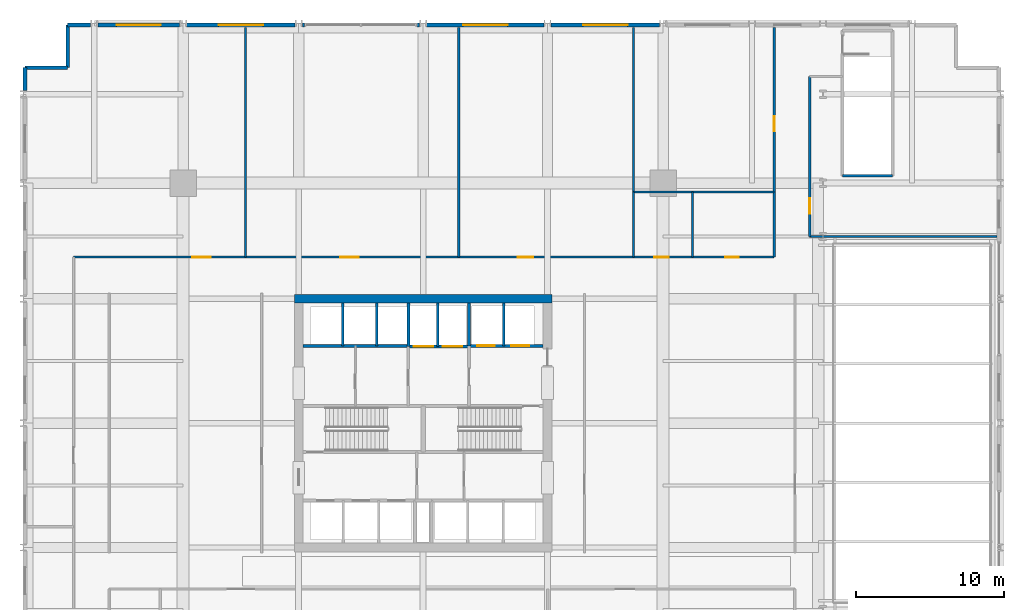
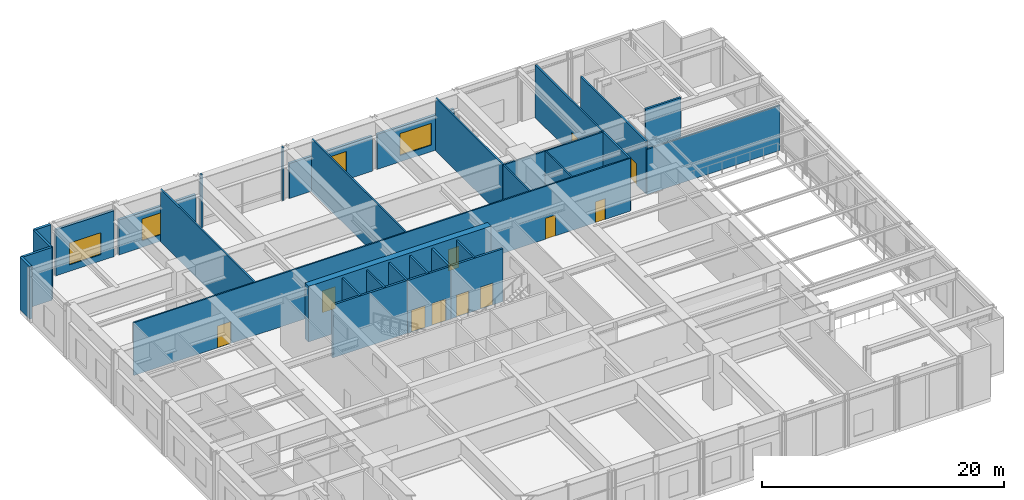
# One storey, part 13 of 19: 31 walls, 11 doors, 4 windows, 15 openings.
"""IFC4 building model written with IfcOpenShell, lengths in metres."""

from ifc_helpers import new_model, si_unit, direction, frame, frame_2d, origin, place, context, subcontext, project, spatial, rectangle, extrude, material, layer, layer_set, type_object, element, fill, save


model = new_model("IFC4")

# Units and contexts
model_context = context("Model", 3, precision=1e-05, world=origin(), true_north=direction((0.0, 1.0)))
body_context = subcontext(model_context, "Body", "Model", "MODEL_VIEW")
ifc_project = project(units=[si_unit("LENGTHUNIT", "METRE"), si_unit("AREAUNIT", "SQUARE_METRE"), si_unit("VOLUMEUNIT", "CUBIC_METRE"), si_unit("PLANEANGLEUNIT", "RADIAN"), si_unit("MASSUNIT", "GRAM", prefix="KILO")], contexts=[model_context])

# Site, building, storey
site_placement = place(None, origin())
site = spatial("IfcSite", under=ifc_project, at=site_placement, CompositionType="ELEMENT")
building_placement = place(site_placement, origin())
building = spatial("IfcBuilding", under=site, at=building_placement, Name="Drelvath Grand Hotel", CompositionType="ELEMENT")
storey_placement = place(building_placement, frame((0.0, 0.0, 27.60009765625)))
storey = spatial("IfcBuildingStorey", under=building, at=storey_placement, Name="L05", CompositionType="ELEMENT", Elevation=27.60009765625)

# Wall, openings, doors
ifc_material_1 = material(Name="Concrete C40/50", Category="concrete")
ifc_layer_1 = layer(ifc_material_1, 0.199951171875)
ifc_layer_set_1 = layer_set([ifc_layer_1], Name="Concrete C40/50")
wall_type_1 = type_object("IfcWallType", Name="Core Hoistway Fire Wall 200", PredefinedType="SOLIDWALL", material=ifc_layer_set_1)
wall_1_placement = place(storey_placement, frame((3.10009765625, 32.219970703125, 0.0), z_axis=(0.0, 0.0, 1.0), x_axis=(1.0, 0.0, 0.0)))
wall_1 = element("IfcWall", 1, at=wall_1_placement, inside=storey, type_object=wall_type_1, Name="L05 FSAE Hoistway Front Wall", PredefinedType="SOLIDWALL", context=body_context, shape_type="SweptSolid", body=[
    extrude(rectangle(XDim=5.0, YDim=0.199951171875, at=frame_2d((2.5, 0.0))), origin(), (0.0, 0.0, 1.0), 5.31982421875),
])
opening_1_placement = place(wall_1_placement, frame((0.550048828125, 0.0, 0.0)))
opening_1 = element("IfcOpeningElement", 2, at=opening_1_placement, cuts=wall_1, Name="Opening LD-FSAE-1", PredefinedType="OPENING", context=body_context, shape_type="SweptSolid", body=[
    extrude(rectangle(XDim=1.199951171875, YDim=2.199951171875, at=frame_2d((0.60009765625, 1.10009765625))), frame((0.0, 0.10986328125, 0.0), z_axis=(0.0, -1.0, 0.0), x_axis=(1.0, 0.0, 0.0)), (0.0, 0.0, 1.0), 0.219970703125),
])
opening_2_placement = place(wall_1_placement, frame((2.85009765625, 0.0, 0.0)))
opening_2 = element("IfcOpeningElement", 3, at=opening_2_placement, cuts=wall_1, Name="Opening LD-FSAE-2", PredefinedType="OPENING", context=body_context, shape_type="SweptSolid", body=[
    extrude(rectangle(XDim=1.199951171875, YDim=2.199951171875, at=frame_2d((0.60009765625, 1.10009765625))), frame((0.0, 0.10986328125, 0.0), z_axis=(0.0, -1.0, 0.0), x_axis=(1.0, 0.0, 0.0)), (0.0, 0.0, 1.0), 0.219970703125),
])
ifc_material_2 = material(Name="Stainless Steel S355", Category="steel")
door_type_1 = type_object("IfcDoorType", Name="FSAE Lift Sliding Landing Door 1200x2200", OperationType="NOTDEFINED", PredefinedType="DOOR", material=ifc_material_2)
door_1_placement = place(opening_1_placement, origin())
door_1 = element("IfcDoor", 4, at=door_1_placement, inside=storey, type_object=door_type_1, Name="L05 Lift FSAE-1 Landing Door", OperationType="SLIDING_TO_LEFT", OverallHeight=2.199951171875, OverallWidth=1.199951171875, PredefinedType="DOOR", context=body_context, shape_type="SweptSolid", body=[
    extrude(rectangle(XDim=1.199951171875, YDim=2.199951171875, at=frame_2d((0.60009765625, 1.10009765625))), frame((0.0, 0.02490234375, 0.0), z_axis=(0.0, -1.0, 0.0), x_axis=(1.0, 0.0, 0.0)), (0.0, 0.0, 1.0), 0.050048828125),
])
fill(opening_1, door_1)
door_2_placement = place(opening_2_placement, origin())
door_2 = element("IfcDoor", 5, at=door_2_placement, inside=storey, type_object=door_type_1, Name="L05 Lift FSAE-2 Landing Door", OperationType="SLIDING_TO_LEFT", OverallHeight=2.199951171875, OverallWidth=1.199951171875, PredefinedType="DOOR", context=body_context, shape_type="SweptSolid", body=[
    extrude(rectangle(XDim=1.199951171875, YDim=2.199951171875, at=frame_2d((0.60009765625, 1.10009765625))), frame((0.0, 0.02490234375, 0.0), z_axis=(0.0, -1.0, 0.0), x_axis=(1.0, 0.0, 0.0)), (0.0, 0.0, 1.0), 0.050048828125),
])
fill(opening_2, door_2)

# Wall
wall_2_placement = place(storey_placement, frame((3.10009765625, 32.219970703125, 0.0), z_axis=(0.0, 0.0, 1.0), x_axis=(0.0, 1.0, 0.0)))
element("IfcWall", 6, at=wall_2_placement, inside=storey, type_object=wall_type_1, Name="L05 FSAE Hoistway West Wall", PredefinedType="SOLIDWALL", context=body_context, shape_type="SweptSolid", body=[
    extrude(rectangle(XDim=2.880126953125, YDim=0.199951171875, at=frame_2d((1.43994140625, 0.0))), origin(), (0.0, 0.0, 1.0), 5.31982421875),
])

# Wall, openings, doors
wall_3_placement = place(storey_placement, frame((-1.0, 32.179931640625, 0.0), z_axis=(0.0, 0.0, 1.0), x_axis=(1.0, 0.0, 0.0)))
wall_3 = element("IfcWall", 7, at=wall_3_placement, inside=storey, type_object=wall_type_1, Name="L05 Service Lift Hoistway Wall", PredefinedType="SOLIDWALL", context=body_context, shape_type="SweptSolid", body=[
    extrude(rectangle(XDim=4.10009765625, YDim=0.199951171875, at=frame_2d((2.050048828125, 0.0))), origin(), (0.0, 0.0, 1.0), 5.31982421875),
])
opening_3_placement = place(wall_3_placement, frame((0.3701171875, 0.0, 0.0)))
opening_3 = element("IfcOpeningElement", 8, at=opening_3_placement, cuts=wall_3, Name="Opening LD-SV-2", PredefinedType="OPENING", context=body_context, shape_type="SweptSolid", body=[
    extrude(rectangle(XDim=1.300048828125, YDim=2.199951171875, at=frame_2d((0.64990234375, 1.10009765625))), frame((0.0, 0.10986328125, 0.0), z_axis=(0.0, -1.0, 0.0), x_axis=(1.0, 0.0, 0.0)), (0.0, 0.0, 1.0), 0.219970703125),
])
opening_4_placement = place(wall_3_placement, frame((2.330078125, 0.0, 0.0)))
opening_4 = element("IfcOpeningElement", 9, at=opening_4_placement, cuts=wall_3, Name="Opening LD-SV-1", PredefinedType="OPENING", context=body_context, shape_type="SweptSolid", body=[
    extrude(rectangle(XDim=1.300048828125, YDim=2.199951171875, at=frame_2d((0.64990234375, 1.10009765625))), frame((0.0, 0.10986328125, 0.0), z_axis=(0.0, -1.0, 0.0), x_axis=(1.0, 0.0, 0.0)), (0.0, 0.0, 1.0), 0.219970703125),
])
door_type_2 = type_object("IfcDoorType", Name="Service Lift Sliding Landing Door 1300x2200", OperationType="NOTDEFINED", PredefinedType="DOOR", material=ifc_material_2)
door_3_placement = place(opening_3_placement, origin())
door_3 = element("IfcDoor", 10, at=door_3_placement, inside=storey, type_object=door_type_2, Name="L05 Lift SV-2 Landing Door", OperationType="SLIDING_TO_LEFT", OverallHeight=2.199951171875, OverallWidth=1.300048828125, PredefinedType="DOOR", context=body_context, shape_type="SweptSolid", body=[
    extrude(rectangle(XDim=1.300048828125, YDim=2.199951171875, at=frame_2d((0.64990234375, 1.10009765625))), frame((0.0, 0.02490234375, 0.0), z_axis=(0.0, -1.0, 0.0), x_axis=(1.0, 0.0, 0.0)), (0.0, 0.0, 1.0), 0.050048828125),
])
fill(opening_3, door_3)
door_4_placement = place(opening_4_placement, origin())
door_4 = element("IfcDoor", 11, at=door_4_placement, inside=storey, type_object=door_type_2, Name="L05 Lift SV-1 Landing Door", OperationType="SLIDING_TO_LEFT", OverallHeight=2.199951171875, OverallWidth=1.300048828125, PredefinedType="DOOR", context=body_context, shape_type="SweptSolid", body=[
    extrude(rectangle(XDim=1.300048828125, YDim=2.199951171875, at=frame_2d((0.64990234375, 1.10009765625))), frame((0.0, 0.02490234375, 0.0), z_axis=(0.0, -1.0, 0.0), x_axis=(1.0, 0.0, 0.0)), (0.0, 0.0, 1.0), 0.050048828125),
])
fill(opening_4, door_4)

# Walls
wall_4_placement = place(storey_placement, frame((-1.0, 32.179931640625, 0.0), z_axis=(0.0, 0.0, 1.0), x_axis=(0.0, 1.0, 0.0)))
element("IfcWall", 12, at=wall_4_placement, inside=storey, type_object=wall_type_1, Name="L05 Service Lift West Wall", PredefinedType="SOLIDWALL", context=body_context, shape_type="SweptSolid", body=[
    extrude(rectangle(XDim=2.920166015625, YDim=0.199951171875, at=frame_2d((1.4599609375, 0.0))), origin(), (0.0, 0.0, 1.0), 5.31982421875),
])
wall_5_placement = place(storey_placement, frame((-8.10009765625, 32.219970703125, 0.0), z_axis=(0.0, 0.0, 1.0), x_axis=(1.0, 0.0, 0.0)))
element("IfcWall", 13, at=wall_5_placement, inside=storey, type_object=wall_type_1, Name="L05 Bank 3 Hoistway Wall", PredefinedType="SOLIDWALL", context=body_context, shape_type="SweptSolid", body=[
    extrude(rectangle(XDim=7.10009765625, YDim=0.199951171875, at=frame_2d((3.550048828125, 0.0))), origin(), (0.0, 0.0, 1.0), 5.31982421875),
])
ifc_layer_2 = layer(ifc_material_1, 0.199951171875)
ifc_layer_set_2 = layer_set([ifc_layer_2], Name="Concrete C40/50")
wall_type_2 = type_object("IfcWallType", Name="Core Shaft Fire Wall 200", PredefinedType="SOLIDWALL", material=ifc_layer_set_2)
wall_6_placement = place(storey_placement, frame((28.320068359375, 43.699951171875, 0.0), z_axis=(0.0, 0.0, 1.0), x_axis=(1.0, 0.0, 0.0)))
element("IfcWall", 14, at=wall_6_placement, inside=storey, type_object=wall_type_2, Name="L05 Stair ST-4 South Wall", PredefinedType="SOLIDWALL", context=body_context, shape_type="SweptSolid", body=[
    extrude(rectangle(XDim=3.35986328125, YDim=0.199951171875, at=frame_2d((1.679931640625, 0.0))), origin(), (0.0, 0.0, 1.0), 5.31982421875),
])
ifc_material_3 = material(Name="Gypsum Fireboard Partition")
ifc_layer_3 = layer(ifc_material_3, 0.1650390625)
ifc_layer_set_3 = layer_set([ifc_layer_3], Name="Gypsum Fireboard Partition")
wall_type_3 = type_object("IfcWallType", Name="Core Shaft Partition 165", PredefinedType="PARTITIONING", material=ifc_layer_set_3)
wall_7_placement = place(storey_placement, frame((5.449951171875, 32.219970703125, 0.0), z_axis=(0.0, 0.0, 1.0), x_axis=(0.0, 1.0, 0.0)))
element("IfcWall", 15, at=wall_7_placement, inside=storey, type_object=wall_type_3, Name="L05 FSAE Hoistway Divider", PredefinedType="PARTITIONING", context=body_context, shape_type="SweptSolid", body=[
    extrude(rectangle(XDim=2.880126953125, YDim=0.1650390625, at=frame_2d((1.43994140625, 0.0))), origin(), (0.0, 0.0, 1.0), 5.31982421875),
])
wall_8_placement = place(storey_placement, frame((1.0, 32.179931640625, 0.0), z_axis=(0.0, 0.0, 1.0), x_axis=(0.0, 1.0, 0.0)))
element("IfcWall", 16, at=wall_8_placement, inside=storey, type_object=wall_type_3, Name="L05 Service Lift Divider", PredefinedType="PARTITIONING", context=body_context, shape_type="SweptSolid", body=[
    extrude(rectangle(XDim=2.920166015625, YDim=0.1650390625, at=frame_2d((1.4599609375, 0.0))), origin(), (0.0, 0.0, 1.0), 5.31982421875),
])
for number, where, z_axis, x_axis, name in (
    (17, (-5.43994140625, 32.219970703125, 0.0), (0.0, 0.0, 1.0), (0.0, 1.0, 0.0), "L05 Lift PE-7/8 Divider"),
    (18, (-3.1201171875, 32.219970703125, 0.0), (0.0, 0.0, 1.0), (0.0, 1.0, 0.0), "L05 Lift PE-8/9 Divider"),
):
    element("IfcWall", number, at=place(storey_placement, frame(where, z_axis=z_axis, x_axis=x_axis)), inside=storey, type_object=wall_type_3, Name=name, PredefinedType="PARTITIONING", context=body_context, shape_type="SweptSolid", body=[
        extrude(rectangle(XDim=2.880126953125, YDim=0.1650390625, at=frame_2d((1.43994140625, 0.0))), origin(), (0.0, 0.0, 1.0), 5.31982421875),
    ])

# Wall, openings, doors
ifc_layer_4 = layer(ifc_material_3, 0.135009765625)
ifc_layer_set_4 = layer_set([ifc_layer_4], Name="Gypsum Fireboard Partition")
wall_type_4 = type_object("IfcWallType", Name="Corridor Fire Barrier Wall 135", PredefinedType="PARTITIONING", material=ifc_layer_set_4)
wall_9_placement = place(storey_placement, frame((-23.60009765625, 38.199951171875, 0.0), z_axis=(0.0, 0.0, 1.0), x_axis=(1.0, 0.0, 0.0)))
wall_9 = element("IfcWall", 19, at=wall_9_placement, inside=storey, type_object=wall_type_4, Name="L05 North Gallery Wall", PredefinedType="PARTITIONING", context=body_context, shape_type="SweptSolid", body=[
    extrude(rectangle(XDim=47.300048828125, YDim=0.135009765625, at=frame_2d((23.64990234375, 0.0))), origin(), (0.0, 0.0, 1.0), 5.31982421875),
])
opening_5_placement = place(wall_9_placement, frame((39.199951171875, 0.0, 0.0)))
opening_5 = element("IfcOpeningElement", 20, at=opening_5_placement, cuts=wall_9, Name="Opening D-L05-020", PredefinedType="OPENING", context=body_context, shape_type="SweptSolid", body=[
    extrude(rectangle(XDim=0.97998046875, YDim=2.10009765625, at=frame_2d((0.489990234375, 1.050048828125))), frame((0.0, 0.077392578125, 0.0), z_axis=(0.0, -1.0, 0.0), x_axis=(1.0, 0.0, 0.0)), (0.0, 0.0, 1.0), 0.155029296875),
])
opening_6_placement = place(wall_9_placement, frame((44.0, 0.0, 0.0)))
opening_6 = element("IfcOpeningElement", 21, at=opening_6_placement, cuts=wall_9, Name="Opening D-L05-021", PredefinedType="OPENING", context=body_context, shape_type="SweptSolid", body=[
    extrude(rectangle(XDim=0.919921875, YDim=2.10009765625, at=frame_2d((0.4599609375, 1.050048828125))), frame((0.0, 0.077392578125, 0.0), z_axis=(0.0, -1.0, 0.0), x_axis=(1.0, 0.0, 0.0)), (0.0, 0.0, 1.0), 0.155029296875),
])
opening_7_placement = place(wall_9_placement, frame((8.0, 0.0, 0.0)))
opening_7 = element("IfcOpeningElement", 22, at=opening_7_placement, cuts=wall_9, Name="Opening D-L05-026", PredefinedType="OPENING", context=body_context, shape_type="SweptSolid", body=[
    extrude(rectangle(XDim=1.260009765625, YDim=2.199951171875, at=frame_2d((0.6298828125, 1.10009765625))), frame((0.0, 0.077392578125, 0.0), z_axis=(0.0, -1.0, 0.0), x_axis=(1.0, 0.0, 0.0)), (0.0, 0.0, 1.0), 0.155029296875),
])
opening_8_placement = place(wall_9_placement, frame((18.0, 0.0, 0.0)))
opening_8 = element("IfcOpeningElement", 23, at=opening_8_placement, cuts=wall_9, Name="Opening D-L05-027", PredefinedType="OPENING", context=body_context, shape_type="SweptSolid", body=[
    extrude(rectangle(XDim=1.260009765625, YDim=2.199951171875, at=frame_2d((0.6298828125, 1.10009765625))), frame((0.0, 0.077392578125, 0.0), z_axis=(0.0, -1.0, 0.0), x_axis=(1.0, 0.0, 0.0)), (0.0, 0.0, 1.0), 0.155029296875),
])
opening_9_placement = place(wall_9_placement, frame((30.0, 0.0, 0.0)))
opening_9 = element("IfcOpeningElement", 24, at=opening_9_placement, cuts=wall_9, Name="Opening D-L05-028", PredefinedType="OPENING", context=body_context, shape_type="SweptSolid", body=[
    extrude(rectangle(XDim=1.02001953125, YDim=2.14990234375, at=frame_2d((0.510009765625, 1.074951171875))), frame((0.0, 0.077392578125, 0.0), z_axis=(0.0, -1.0, 0.0), x_axis=(1.0, 0.0, 0.0)), (0.0, 0.0, 1.0), 0.155029296875),
])
ifc_material_4 = material(Name="Hardwood Walnut Timber", Category="wood")
door_type_3 = type_object("IfcDoorType", Name="Accessible WC Door 980x2100", OperationType="NOTDEFINED", PredefinedType="DOOR", material=ifc_material_4)
door_5_placement = place(opening_5_placement, origin())
door_5 = element("IfcDoor", 25, at=door_5_placement, inside=storey, type_object=door_type_3, Name="L05 Accessible WC Door", OperationType="SINGLE_SWING_LEFT", OverallHeight=2.10009765625, OverallWidth=0.97998046875, PredefinedType="DOOR", context=body_context, shape_type="SweptSolid", body=[
    extrude(rectangle(XDim=0.97998046875, YDim=2.10009765625, at=frame_2d((0.489990234375, 1.050048828125))), frame((0.0, 0.02490234375, 0.0), z_axis=(0.0, -1.0, 0.0), x_axis=(1.0, 0.0, 0.0)), (0.0, 0.0, 1.0), 0.050048828125),
])
fill(opening_5, door_5)
door_type_4 = type_object("IfcDoorType", Name="Amenity Meeting Fire Door 1020x2150", OperationType="NOTDEFINED", PredefinedType="DOOR", material=ifc_material_4)
door_6_placement = place(opening_9_placement, origin())
door_6 = element("IfcDoor", 26, at=door_6_placement, inside=storey, type_object=door_type_4, Name="L05 Spa Locker Door", OperationType="SINGLE_SWING_RIGHT", OverallHeight=2.14990234375, OverallWidth=1.02001953125, PredefinedType="DOOR", context=body_context, shape_type="SweptSolid", body=[
    extrude(rectangle(XDim=1.02001953125, YDim=2.14990234375, at=frame_2d((0.510009765625, 1.074951171875))), frame((0.0, 0.02490234375, 0.0), z_axis=(0.0, -1.0, 0.0), x_axis=(1.0, 0.0, 0.0)), (0.0, 0.0, 1.0), 0.050048828125),
])
fill(opening_9, door_6)
ifc_material_5 = material(Name="Painted Steel S275", Category="steel")
door_type_5 = type_object("IfcDoorType", Name="Staff Utility Door 920x2100", OperationType="NOTDEFINED", PredefinedType="DOOR", material=ifc_material_5)
door_7_placement = place(opening_6_placement, origin())
door_7 = element("IfcDoor", 27, at=door_7_placement, inside=storey, type_object=door_type_5, Name="L05 Public Restroom Door", OperationType="SINGLE_SWING_RIGHT", OverallHeight=2.10009765625, OverallWidth=0.919921875, PredefinedType="DOOR", context=body_context, shape_type="SweptSolid", body=[
    extrude(rectangle(XDim=0.919921875, YDim=2.10009765625, at=frame_2d((0.4599609375, 1.050048828125))), frame((0.0, 0.02490234375, 0.0), z_axis=(0.0, -1.0, 0.0), x_axis=(1.0, 0.0, 0.0)), (0.0, 0.0, 1.0), 0.050048828125),
])
fill(opening_6, door_7)
door_type_6 = type_object("IfcDoorType", Name="Suite Entrance Fire Door 1260x2200", OperationType="NOTDEFINED", PredefinedType="DOOR", material=ifc_material_4)
door_8_placement = place(opening_7_placement, origin())
door_8 = element("IfcDoor", 28, at=door_8_placement, inside=storey, type_object=door_type_6, Name="L05 Gymnasium Door", OperationType="SINGLE_SWING_RIGHT", OverallHeight=2.199951171875, OverallWidth=1.260009765625, PredefinedType="DOOR", context=body_context, shape_type="SweptSolid", body=[
    extrude(rectangle(XDim=1.260009765625, YDim=2.199951171875, at=frame_2d((0.6298828125, 1.10009765625))), frame((0.0, 0.02490234375, 0.0), z_axis=(0.0, -1.0, 0.0), x_axis=(1.0, 0.0, 0.0)), (0.0, 0.0, 1.0), 0.050048828125),
])
fill(opening_7, door_8)
door_9_placement = place(opening_8_placement, origin())
door_9 = element("IfcDoor", 29, at=door_9_placement, inside=storey, type_object=door_type_6, Name="L05 Spa Reception Door", OperationType="SINGLE_SWING_LEFT", OverallHeight=2.199951171875, OverallWidth=1.260009765625, PredefinedType="DOOR", context=body_context, shape_type="SweptSolid", body=[
    extrude(rectangle(XDim=1.260009765625, YDim=2.199951171875, at=frame_2d((0.6298828125, 1.10009765625))), frame((0.0, 0.02490234375, 0.0), z_axis=(0.0, -1.0, 0.0), x_axis=(1.0, 0.0, 0.0)), (0.0, 0.0, 1.0), 0.050048828125),
])
fill(opening_8, door_9)

# Walls
ifc_material_6 = material(Name="Moisture-Resistant Gypsum Board")
ifc_layer_5 = layer(ifc_material_6, 0.139892578125)
ifc_layer_set_5 = layer_set([ifc_layer_5], Name="Moisture-Resistant Gypsum Board")
wall_type_5 = type_object("IfcWallType", Name="En-Suite Plumbing Wall 140", PredefinedType="PLUMBINGWALL", material=ifc_layer_set_5)
for number, where, z_axis, x_axis, name in (
    (30, (14.199951171875, 38.199951171875, 0.0), (0.0, 0.0, 1.0), (0.0, 1.0, 0.0), "L05 Restroom West Wall"),
    (31, (18.199951171875, 38.199951171875, 0.0), (0.0, 0.0, 1.0), (0.0, 1.0, 0.0), "L05 Restroom Split Wall"),
):
    element("IfcWall", number, at=place(storey_placement, frame(where, z_axis=z_axis, x_axis=x_axis)), inside=storey, type_object=wall_type_5, Name=name, PredefinedType="PLUMBINGWALL", context=body_context, shape_type="SweptSolid", body=[
        extrude(rectangle(XDim=4.400146484375, YDim=0.139892578125, at=frame_2d((2.2001953125, 0.0))), origin(), (0.0, 0.0, 1.0), 5.31982421875),
    ])
wall_10_placement = place(storey_placement, frame((14.199951171875, 42.60009765625, 0.0), z_axis=(0.0, 0.0, 1.0), x_axis=(1.0, 0.0, 0.0)))
element("IfcWall", 32, at=wall_10_placement, inside=storey, type_object=wall_type_5, Name="L05 Restroom North Back Wall", PredefinedType="PLUMBINGWALL", context=body_context, shape_type="SweptSolid", body=[
    extrude(rectangle(XDim=9.5, YDim=0.139892578125, at=frame_2d((4.75, 0.0))), origin(), (0.0, 0.0, 1.0), 5.31982421875),
])
ifc_material_7 = material(Name="Gypsum Acoustic Partition")
ifc_layer_6 = layer(ifc_material_7, 0.14990234375)
ifc_layer_set_6 = layer_set([ifc_layer_6], Name="Gypsum Acoustic Partition")
wall_type_6 = type_object("IfcWallType", Name="Guestroom Demising Wall 150", PredefinedType="PARTITIONING", material=ifc_layer_set_6)
wall_11_placement = place(storey_placement, frame((14.199951171875, 42.60009765625, 0.0), z_axis=(0.0, 0.0, 1.0), x_axis=(0.0, 1.0, 0.0)))
element("IfcWall", 33, at=wall_11_placement, inside=storey, type_object=wall_type_6, Name="L05 North Corner Boardroom Wall", PredefinedType="PARTITIONING", context=body_context, shape_type="SweptSolid", body=[
    extrude(rectangle(XDim=11.099853515625, YDim=0.14990234375, at=frame_2d((5.5498046875, 0.0))), origin(), (0.0, 0.0, 1.0), 5.31982421875),
])
for number, where, z_axis, x_axis, name in (
    (34, (-12.0, 38.199951171875, 0.0), (0.0, 0.0, 1.0), (0.0, 1.0, 0.0), "L05 L05 Spa Split 1"),
    (35, (2.39990234375, 38.199951171875, 0.0), (0.0, 0.0, 1.0), (0.0, 1.0, 0.0), "L05 L05 Spa Split 2"),
):
    element("IfcWall", number, at=place(storey_placement, frame(where, z_axis=z_axis, x_axis=x_axis)), inside=storey, type_object=wall_type_6, Name=name, PredefinedType="PARTITIONING", context=body_context, shape_type="SweptSolid", body=[
        extrude(rectangle(XDim=15.5, YDim=0.14990234375, at=frame_2d((7.75, 0.0))), origin(), (0.0, 0.0, 1.0), 5.31982421875),
    ])
ifc_material_8 = material(Name="Concrete f'c 70 MPa", Category="concrete")
ifc_layer_7 = layer(ifc_material_8, 0.60009765625)
ifc_layer_set_7 = layer_set([ifc_layer_7], Name="Concrete f'c 70 MPa")
wall_type_7 = type_object("IfcWallType", Name="Lower Core RC Shear Wall 600", PredefinedType="SHEAR", material=ifc_layer_set_7)
wall_12_placement = place(storey_placement, frame((-8.699951171875, 35.39990234375, 0.0), z_axis=(0.0, 0.0, 1.0), x_axis=(1.0, 0.0, 0.0)))
element("IfcWall", 36, at=wall_12_placement, inside=storey, type_object=wall_type_7, Name="L05 Central Core Shear Wall N", PredefinedType="SHEAR", context=body_context, shape_type="SweptSolid", body=[
    extrude(rectangle(XDim=17.39990234375, YDim=0.60009765625, at=frame_2d((8.699951171875, 0.0))), origin(), (0.0, 0.0, 1.0), 5.599853515625),
])
ifc_material_9 = material(Name="Insulated Granite Rainscreen Assembly", Category="masonry")
ifc_layer_8 = layer(ifc_material_9, 0.239990234375)
ifc_layer_set_8 = layer_set([ifc_layer_8], Name="Insulated Granite Rainscreen Assembly")
wall_type_8 = type_object("IfcWallType", Name="Podium Granite Rainscreen Exterior Wall 240", PredefinedType="STANDARD", material=ifc_layer_set_8)
for number, where, z_axis, x_axis, name in (
    (37, (-26.8798828125, 49.44091796875, 0.0), (0.0, 0.0, 1.0), (0.0, 1.0, 0.0), "L05 West Podium Granite Wall 8"),
    (38, (-24.0, 53.8798828125, 0.0), (0.0, 0.0, 1.0), (1.0, 0.0, 0.0), "L05 North Podium Granite Wall 1"),
):
    element("IfcWall", number, at=place(storey_placement, frame(where, z_axis=z_axis, x_axis=x_axis)), inside=storey, type_object=wall_type_8, Name=name, PredefinedType="STANDARD", context=body_context, shape_type="SweptSolid", body=[
        extrude(rectangle(XDim=1.55908203125, YDim=0.239990234375, at=frame_2d((0.779541015625, 0.0))), origin(), (0.0, 0.0, 1.0), 5.31982421875),
    ])

# Wall, opening, window
wall_13_placement = place(storey_placement, frame((-21.958984375, 53.8798828125, 0.0), z_axis=(0.0, 0.0, 1.0), x_axis=(1.0, 0.0, 0.0)))
wall_13 = element("IfcWall", 39, at=wall_13_placement, inside=storey, type_object=wall_type_8, Name="L05 North Podium Granite Wall 2", PredefinedType="STANDARD", context=body_context, shape_type="SweptSolid", body=[
    extrude(rectangle(XDim=5.51806640625, YDim=0.239990234375, at=frame_2d((2.759033203125, 0.0))), origin(), (0.0, 0.0, 1.0), 4.62451171875),
])
opening_10_placement = place(wall_13_placement, frame((1.259033203125, 0.0, 0.64990234375)))
opening_10 = element("IfcOpeningElement", 40, at=opening_10_placement, cuts=wall_13, Name="Opening W-03", PredefinedType="OPENING", context=body_context, shape_type="SweptSolid", body=[
    extrude(rectangle(XDim=3.0, YDim=2.199951171875, at=frame_2d((1.5, 1.10009765625))), frame((0.0, 0.1298828125, 0.0), z_axis=(0.0, -1.0, 0.0), x_axis=(1.0, 0.0, 0.0)), (0.0, 0.0, 1.0), 0.260009765625),
])
ifc_material_10 = material(Name="Bronze Anodised Low-E Triple Glazing", Category="glass")
window_type = type_object("IfcWindowType", Name="Podium Clerestory Ribbon Window 3000x2200", PartitioningType="TRIPLE_PANEL_VERTICAL", PredefinedType="WINDOW", material=ifc_material_10)
window_1_placement = place(opening_10_placement, origin())
window_1 = element("IfcWindow", 41, at=window_1_placement, inside=storey, type_object=window_type, Name="L05 North Chicago Window 2", OverallHeight=2.199951171875, OverallWidth=3.0, PartitioningType="SINGLE_PANEL", PredefinedType="WINDOW", context=body_context, shape_type="SweptSolid", body=[
    extrude(rectangle(XDim=3.0, YDim=2.199951171875, at=frame_2d((1.5, 1.10009765625))), frame((0.0, 0.030029296875, 0.0), z_axis=(0.0, -1.0, 0.0), x_axis=(1.0, 0.0, 0.0)), (0.0, 0.0, 1.0), 0.06005859375),
])
fill(opening_10, window_1)

wall_14_placement = place(storey_placement, frame((-15.958984375, 53.8798828125, 0.0), z_axis=(0.0, 0.0, 1.0), x_axis=(1.0, 0.0, 0.0)))
wall_14 = element("IfcWall", 42, at=wall_14_placement, inside=storey, type_object=wall_type_8, Name="L05 North Podium Granite Wall 3", PredefinedType="STANDARD", context=body_context, shape_type="SweptSolid", body=[
    extrude(rectangle(XDim=7.318115234375, YDim=0.239990234375, at=frame_2d((3.6591796875, 0.0))), origin(), (0.0, 0.0, 1.0), 3.52001953125),
])
opening_11_placement = place(wall_14_placement, frame((2.1591796875, 0.0, 0.64990234375)))
opening_11 = element("IfcOpeningElement", 43, at=opening_11_placement, cuts=wall_14, Name="Opening W-03", PredefinedType="OPENING", context=body_context, shape_type="SweptSolid", body=[
    extrude(rectangle(XDim=3.0, YDim=2.199951171875, at=frame_2d((1.5, 1.10009765625))), frame((0.0, 0.1298828125, 0.0), z_axis=(0.0, -1.0, 0.0), x_axis=(1.0, 0.0, 0.0)), (0.0, 0.0, 1.0), 0.260009765625),
])
window_2_placement = place(opening_11_placement, origin())
window_2 = element("IfcWindow", 44, at=window_2_placement, inside=storey, type_object=window_type, Name="L05 North Chicago Window 3", OverallHeight=2.199951171875, OverallWidth=3.0, PartitioningType="SINGLE_PANEL", PredefinedType="WINDOW", context=body_context, shape_type="SweptSolid", body=[
    extrude(rectangle(XDim=3.0, YDim=2.199951171875, at=frame_2d((1.5, 1.10009765625))), frame((0.0, 0.030029296875, 0.0), z_axis=(0.0, -1.0, 0.0), x_axis=(1.0, 0.0, 0.0)), (0.0, 0.0, 1.0), 0.06005859375),
])
fill(opening_11, window_2)

# Walls
wall_15_placement = place(storey_placement, frame((-8.1591796875, 53.8798828125, 0.0), z_axis=(0.0, 0.0, 1.0), x_axis=(1.0, 0.0, 0.0)))
element("IfcWall", 45, at=wall_15_placement, inside=storey, type_object=wall_type_8, Name="L05 North Podium Granite Wall 4", PredefinedType="STANDARD", context=body_context, shape_type="SweptSolid", body=[
    extrude(rectangle(XDim=0.1591796875, YDim=0.239990234375, at=frame_2d((0.07958984375, 0.0))), origin(), (0.0, 0.0, 1.0), 5.31982421875),
])
wall_16_placement = place(storey_placement, frame((-0.39990234375, 53.8798828125, 0.0), z_axis=(0.0, 0.0, 1.0), x_axis=(1.0, 0.0, 0.0)))
element("IfcWall", 46, at=wall_16_placement, inside=storey, type_object=wall_type_8, Name="L05 North Podium Granite Wall 5", PredefinedType="STANDARD", context=body_context, shape_type="SweptSolid", body=[
    extrude(rectangle(XDim=0.158935546875, YDim=0.239990234375, at=frame_2d((0.07958984375, 0.0))), origin(), (0.0, 0.0, 1.0), 5.31982421875),
])

# Wall, opening, window
wall_17_placement = place(storey_placement, frame((0.240966796875, 53.8798828125, 0.0), z_axis=(0.0, 0.0, 1.0), x_axis=(1.0, 0.0, 0.0)))
wall_17 = element("IfcWall", 47, at=wall_17_placement, inside=storey, type_object=wall_type_8, Name="L05 North Podium Granite Wall 6", PredefinedType="STANDARD", context=body_context, shape_type="SweptSolid", body=[
    extrude(rectangle(XDim=7.918212890625, YDim=0.239990234375, at=frame_2d((3.958984375, 0.0))), origin(), (0.0, 0.0, 1.0), 3.52001953125),
])
opening_12_placement = place(wall_17_placement, frame((2.458984375, 0.0, 0.64990234375)))
opening_12 = element("IfcOpeningElement", 48, at=opening_12_placement, cuts=wall_17, Name="Opening W-03", PredefinedType="OPENING", context=body_context, shape_type="SweptSolid", body=[
    extrude(rectangle(XDim=3.0, YDim=2.199951171875, at=frame_2d((1.5, 1.10009765625))), frame((0.0, 0.1298828125, 0.0), z_axis=(0.0, -1.0, 0.0), x_axis=(1.0, 0.0, 0.0)), (0.0, 0.0, 1.0), 0.260009765625),
])
window_3_placement = place(opening_12_placement, origin())
window_3 = element("IfcWindow", 49, at=window_3_placement, inside=storey, type_object=window_type, Name="L05 North Chicago Window 6", OverallHeight=2.199951171875, OverallWidth=3.0, PartitioningType="SINGLE_PANEL", PredefinedType="WINDOW", context=body_context, shape_type="SweptSolid", body=[
    extrude(rectangle(XDim=3.0, YDim=2.199951171875, at=frame_2d((1.5, 1.10009765625))), frame((0.0, 0.030029296875, 0.0), z_axis=(0.0, -1.0, 0.0), x_axis=(1.0, 0.0, 0.0)), (0.0, 0.0, 1.0), 0.06005859375),
])
fill(opening_12, window_3)

wall_18_placement = place(storey_placement, frame((8.640869140625, 53.8798828125, 0.0), z_axis=(0.0, 0.0, 1.0), x_axis=(1.0, 0.0, 0.0)))
wall_18 = element("IfcWall", 50, at=wall_18_placement, inside=storey, type_object=wall_type_8, Name="L05 North Podium Granite Wall 7", PredefinedType="STANDARD", context=body_context, shape_type="SweptSolid", body=[
    extrude(rectangle(XDim=7.318115234375, YDim=0.239990234375, at=frame_2d((3.6591796875, 0.0))), origin(), (0.0, 0.0, 1.0), 3.52001953125),
])
opening_13_placement = place(wall_18_placement, frame((2.1591796875, 0.0, 0.64990234375)))
opening_13 = element("IfcOpeningElement", 51, at=opening_13_placement, cuts=wall_18, Name="Opening W-03", PredefinedType="OPENING", context=body_context, shape_type="SweptSolid", body=[
    extrude(rectangle(XDim=3.0, YDim=2.199951171875, at=frame_2d((1.5, 1.10009765625))), frame((0.0, 0.1298828125, 0.0), z_axis=(0.0, -1.0, 0.0), x_axis=(1.0, 0.0, 0.0)), (0.0, 0.0, 1.0), 0.260009765625),
])
window_4_placement = place(opening_13_placement, origin())
window_4 = element("IfcWindow", 52, at=window_4_placement, inside=storey, type_object=window_type, Name="L05 North Chicago Window 7", OverallHeight=2.199951171875, OverallWidth=3.0, PartitioningType="SINGLE_PANEL", PredefinedType="WINDOW", context=body_context, shape_type="SweptSolid", body=[
    extrude(rectangle(XDim=3.0, YDim=2.199951171875, at=frame_2d((1.5, 1.10009765625))), frame((0.0, 0.030029296875, 0.0), z_axis=(0.0, -1.0, 0.0), x_axis=(1.0, 0.0, 0.0)), (0.0, 0.0, 1.0), 0.06005859375),
])
fill(opening_13, window_4)

# Walls
for number, where, z_axis, x_axis, name in (
    (53, (-26.8798828125, 51.0, 0.0), (0.0, 0.0, 1.0), (1.0, 0.0, 0.0), "L05 Podium Corner Return Wall CNW1"),
    (54, (-24.0, 51.0, 0.0), (0.0, 0.0, 1.0), (0.0, 1.0, 0.0), "L05 Podium Corner Return Wall CNW2"),
):
    element("IfcWall", number, at=place(storey_placement, frame(where, z_axis=z_axis, x_axis=x_axis)), inside=storey, type_object=wall_type_8, Name=name, PredefinedType="STANDARD", context=body_context, shape_type="SweptSolid", body=[
        extrude(rectangle(XDim=2.8798828125, YDim=0.239990234375, at=frame_2d((1.43994140625, 0.0))), origin(), (0.0, 0.0, 1.0), 5.31982421875),
    ])

# Wall, opening, door
ifc_layer_9 = layer(ifc_material_7, 0.1650390625)
ifc_layer_set_9 = layer_set([ifc_layer_9], Name="Gypsum Acoustic Partition")
wall_type_9 = type_object("IfcWallType", Name="Suite Demising Wall 165", PredefinedType="PARTITIONING", material=ifc_layer_set_9)
wall_19_placement = place(storey_placement, frame((23.699951171875, 38.199951171875, 0.0), z_axis=(0.0, 0.0, 1.0), x_axis=(0.0, 1.0, 0.0)))
wall_19 = element("IfcWall", 55, at=wall_19_placement, inside=storey, type_object=wall_type_9, Name="L05 ST-4 Spur Wall", PredefinedType="PARTITIONING", context=body_context, shape_type="SweptSolid", body=[
    extrude(rectangle(XDim=15.5, YDim=0.1650390625, at=frame_2d((7.75, 0.0))), origin(), (0.0, 0.0, 1.0), 5.31982421875),
])
opening_14_placement = place(wall_19_placement, frame((8.5, 0.0, 0.0)))
opening_14 = element("IfcOpeningElement", 56, at=opening_14_placement, cuts=wall_19, Name="Opening D-L05-019", PredefinedType="OPENING", context=body_context, shape_type="SweptSolid", body=[
    extrude(rectangle(XDim=1.02001953125, YDim=2.14990234375, at=frame_2d((0.510009765625, 1.074951171875))), frame((0.0, 0.092529296875, 0.0), z_axis=(0.0, -1.0, 0.0), x_axis=(1.0, 0.0, 0.0)), (0.0, 0.0, 1.0), 0.18505859375),
])
door_10_placement = place(opening_14_placement, origin())
door_10 = element("IfcDoor", 57, at=door_10_placement, inside=storey, type_object=door_type_4, Name="L05 North Corner Boardroom Door", OperationType="SINGLE_SWING_RIGHT", OverallHeight=2.14990234375, OverallWidth=1.02001953125, PredefinedType="DOOR", context=body_context, shape_type="SweptSolid", body=[
    extrude(rectangle(XDim=1.02001953125, YDim=2.14990234375, at=frame_2d((0.510009765625, 1.074951171875))), frame((0.0, 0.02490234375, 0.0), z_axis=(0.0, -1.0, 0.0), x_axis=(1.0, 0.0, 0.0)), (0.0, 0.0, 1.0), 0.050048828125),
])
fill(opening_14, door_10)

wall_20_placement = place(storey_placement, frame((26.10009765625, 39.60009765625, 0.0), z_axis=(0.0, 0.0, 1.0), x_axis=(0.0, 1.0, 0.0)))
wall_20 = element("IfcWall", 58, at=wall_20_placement, inside=storey, type_object=wall_type_9, Name="L05 ST-4 Spur East Wall", PredefinedType="PARTITIONING", context=body_context, shape_type="SweptSolid", body=[
    extrude(rectangle(XDim=10.7998046875, YDim=0.1650390625, at=frame_2d((5.39990234375, 0.0))), origin(), (0.0, 0.0, 1.0), 5.31982421875),
])
opening_15_placement = place(wall_20_placement, frame((1.550048828125, 0.0, 0.0)))
opening_15 = element("IfcOpeningElement", 59, at=opening_15_placement, cuts=wall_20, Name="Opening D-L05-023", PredefinedType="OPENING", context=body_context, shape_type="SweptSolid", body=[
    extrude(rectangle(XDim=1.02001953125, YDim=2.14990234375, at=frame_2d((0.510009765625, 1.074951171875))), frame((0.0, 0.092529296875, 0.0), z_axis=(0.0, -1.0, 0.0), x_axis=(1.0, 0.0, 0.0)), (0.0, 0.0, 1.0), 0.18505859375),
])
door_11_placement = place(opening_15_placement, origin())
door_11 = element("IfcDoor", 60, at=door_11_placement, inside=storey, type_object=door_type_4, Name="L05 NE Executive Office Door", OperationType="SINGLE_SWING_RIGHT", OverallHeight=2.14990234375, OverallWidth=1.02001953125, PredefinedType="DOOR", context=body_context, shape_type="SweptSolid", body=[
    extrude(rectangle(XDim=1.02001953125, YDim=2.14990234375, at=frame_2d((0.510009765625, 1.074951171875))), frame((0.0, 0.02490234375, 0.0), z_axis=(0.0, -1.0, 0.0), x_axis=(1.0, 0.0, 0.0)), (0.0, 0.0, 1.0), 0.050048828125),
])
fill(opening_15, door_11)

# Wall
wall_21_placement = place(storey_placement, frame((26.10009765625, 39.60009765625, 0.0), z_axis=(0.0, 0.0, 1.0), x_axis=(1.0, 0.0, 0.0)))
element("IfcWall", 61, at=wall_21_placement, inside=storey, type_object=wall_type_9, Name="L05 NE Wing South Wall", PredefinedType="PARTITIONING", context=body_context, shape_type="SweptSolid", body=[
    extrude(rectangle(XDim=12.659912109375, YDim=0.1650390625, at=frame_2d((6.330078125, 0.0))), origin(), (0.0, 0.0, 1.0), 4.53173828125),
])

save(model, "model.ifc")
